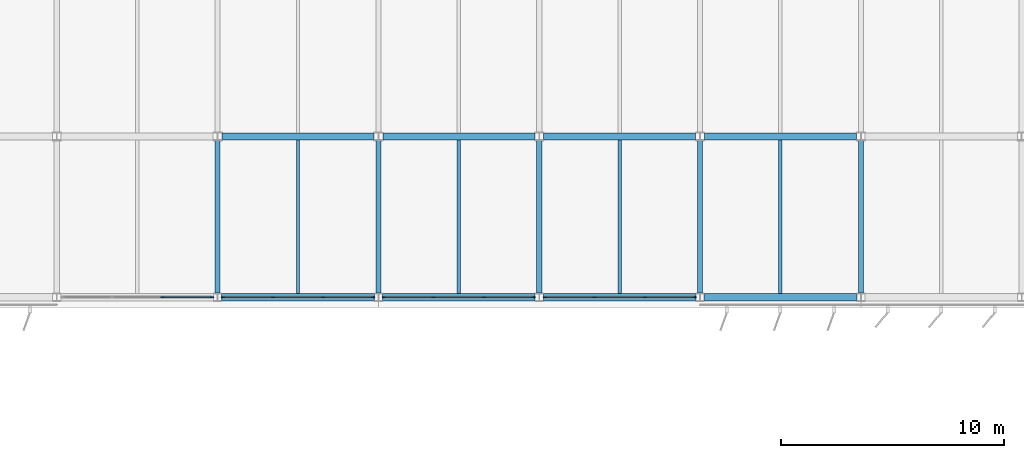
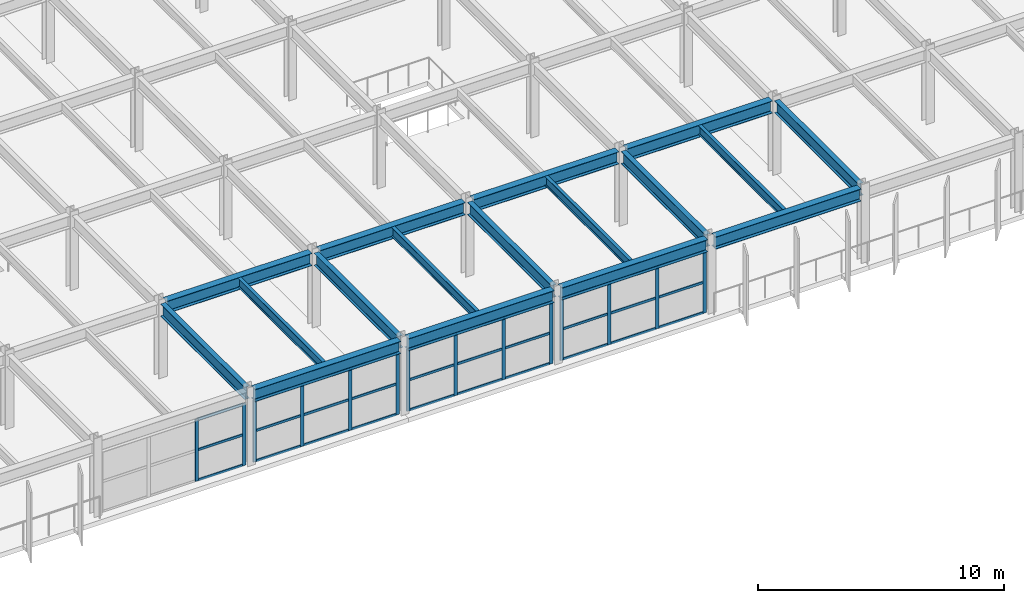
# One storey, part 20 of 80: 44 members, 17 beams, 4 elements without a shape of their own.
"""IFC4 building model written with IfcOpenShell, lengths in metres."""

from ifc_helpers import new_model, si_unit, direction, frame, origin, origin_2d, place, context, subcontext, project, spatial, rectangle, i_section, extrude, material, material_profile, profile_set, type_object, element, aggregate, save


model = new_model("IFC4")

# Units and contexts
model_context = context("Model", 3, precision=1e-05, world=origin(), true_north=direction((0.0, 1.0)))
body_context = subcontext(model_context, "Body", "Model", "MODEL_VIEW")
ifc_project = project(units=[si_unit("LENGTHUNIT", "METRE"), si_unit("AREAUNIT", "SQUARE_METRE"), si_unit("VOLUMEUNIT", "CUBIC_METRE"), si_unit("PLANEANGLEUNIT", "RADIAN"), si_unit("MASSUNIT", "GRAM", prefix="KILO")], contexts=[model_context])

# Site, building, storey
site_placement = place(None, origin())
site = spatial("IfcSite", under=ifc_project, at=site_placement, CompositionType="ELEMENT")
building_placement = place(site_placement, origin())
building = spatial("IfcBuilding", under=site, at=building_placement, Name="Vaelcorin Mobility Hub", CompositionType="ELEMENT")
storey_placement = place(building_placement, frame((0.0, 0.0, 9.300048828125)))
storey = spatial("IfcBuildingStorey", under=building, at=storey_placement, Name="L02", CompositionType="ELEMENT", Elevation=9.300048828125)

# Beams
ifc_material_1 = material(Name="Steel ASTM A992 Grade 50", Category="steel")
ifc_material_profile_1 = material_profile(ifc_material_1, i_section(OverallWidth=0.154052734375, OverallDepth=0.45703125, WebThickness=0.009033203125, FlangeThickness=0.015380859375, FilletRadius=0.012939453125, at=origin_2d()), Name="W18X46")
ifc_profile_set_1 = profile_set([ifc_material_profile_1], Name="Steel ASTM A992 Grade 50")
beam_type_1 = type_object("IfcBeamType", Name="BM-W18X46", PredefinedType="JOIST", material=ifc_profile_set_1)
for number, where, z_axis, x_axis, name in (
    (1, (75.60009765625, 76.9599609375, 3.4619140625), (0.0, 1.0, 0.0), (-1.0, 0.0, 0.0), "L02 Beam V4-L02-J-06-01-1"),
    (2, (82.800048828125, 76.9599609375, 3.4619140625), (0.0, 1.0, 0.0), (-1.0, 0.0, 0.0), "L02 Beam V4-L02-J-07-01-1"),
    (3, (90.0, 76.9599609375, 3.4619140625), (0.0, 1.0, 0.0), (-1.0, 0.0, 0.0), "L02 Beam V4-L02-J-08-01-1"),
    (4, (97.199951171875, 76.9599609375, 3.4619140625), (0.0, 1.0, 0.0), (-1.0, 0.0, 0.0), "L02 Beam V4-L02-J-09-01-1"),
):
    element("IfcBeam", number, at=place(storey_placement, frame(where, z_axis=z_axis, x_axis=x_axis)), inside=storey, type_object=beam_type_1, Name=name, PredefinedType="JOIST", context=body_context, shape_type="SweptSolid", body=[
        extrude(i_section(OverallWidth=0.154052734375, OverallDepth=0.45703125, WebThickness=0.009033203125, FlangeThickness=0.015380859375, FilletRadius=0.012939453125, at=origin_2d()), origin(), (0.0, 0.0, 1.0), 6.880126953125),
    ])
ifc_material_profile_2 = material_profile(ifc_material_1, i_section(OverallWidth=0.324951171875, OverallDepth=0.612060546875, WebThickness=0.0126953125, FlangeThickness=0.01904296875, FilletRadius=0.014892578125, at=origin_2d()), Name="W24X104")
ifc_profile_set_2 = profile_set([ifc_material_profile_2], Name="Steel ASTM A992 Grade 50")
beam_type_2 = type_object("IfcBeamType", Name="BM-W24X104", PredefinedType="BEAM", material=ifc_profile_set_2)
for number, where, z_axis, x_axis, name in (
    (5, (72.18408203125, 76.800048828125, 3.384033203125), (1.0, 0.0, 0.0), (0.0, 1.0, 0.0), "L02 Beam V4-L02-GX-01-06"),
    (6, (79.384033203125, 76.800048828125, 3.384033203125), (1.0, 0.0, 0.0), (0.0, 1.0, 0.0), "L02 Beam V4-L02-GX-01-07"),
    (7, (86.583984375, 76.800048828125, 3.384033203125), (1.0, 0.0, 0.0), (0.0, 1.0, 0.0), "L02 Beam V4-L02-GX-01-08"),
    (8, (93.783935546875, 76.800048828125, 3.384033203125), (1.0, 0.0, 0.0), (0.0, 1.0, 0.0), "L02 Beam V4-L02-GX-01-09"),
):
    element("IfcBeam", number, at=place(storey_placement, frame(where, z_axis=z_axis, x_axis=x_axis)), inside=storey, type_object=beam_type_2, Name=name, PredefinedType="BEAM", context=body_context, shape_type="SweptSolid", body=[
        extrude(i_section(OverallWidth=0.324951171875, OverallDepth=0.612060546875, WebThickness=0.0126953125, FlangeThickness=0.01904296875, FilletRadius=0.014892578125, at=origin_2d()), origin(), (0.0, 0.0, 1.0), 6.83203125),
    ])
beam_placement = place(storey_placement, frame((72.196044921875, 84.0, 3.384033203125), z_axis=(1.0, 0.0, 0.0), x_axis=(0.0, 1.0, 0.0)))
element("IfcBeam", 9, at=beam_placement, inside=storey, type_object=beam_type_2, Name="L02 Beam V4-L02-GX-02-06", PredefinedType="BEAM", context=body_context, shape_type="SweptSolid", body=[
    extrude(i_section(OverallWidth=0.324951171875, OverallDepth=0.612060546875, WebThickness=0.0126953125, FlangeThickness=0.01904296875, FilletRadius=0.014892578125, at=origin_2d()), origin(), (0.0, 0.0, 1.0), 6.807861328125),
])
for number, where, z_axis, x_axis, name in (
    (10, (79.39599609375, 84.0, 3.384033203125), (1.0, 0.0, 0.0), (0.0, 1.0, 0.0), "L02 Beam V4-L02-GX-02-07"),
    (11, (86.595947265625, 84.0, 3.384033203125), (1.0, 0.0, 0.0), (0.0, 1.0, 0.0), "L02 Beam V4-L02-GX-02-08"),
    (12, (93.7958984375, 84.0, 3.384033203125), (1.0, 0.0, 0.0), (0.0, 1.0, 0.0), "L02 Beam V4-L02-GX-02-09"),
):
    element("IfcBeam", number, at=place(storey_placement, frame(where, z_axis=z_axis, x_axis=x_axis)), inside=storey, type_object=beam_type_2, Name=name, PredefinedType="BEAM", context=body_context, shape_type="SweptSolid", body=[
        extrude(i_section(OverallWidth=0.324951171875, OverallDepth=0.612060546875, WebThickness=0.0126953125, FlangeThickness=0.01904296875, FilletRadius=0.014892578125, at=origin_2d()), origin(), (0.0, 0.0, 1.0), 6.80810546875),
    ])
ifc_material_profile_3 = material_profile(ifc_material_1, i_section(OverallWidth=0.22900390625, OverallDepth=0.612060546875, WebThickness=0.011962890625, FlangeThickness=0.01953125, FilletRadius=0.014892578125, at=origin_2d()), Name="W24X84")
ifc_profile_set_3 = profile_set([ifc_material_profile_3], Name="Steel ASTM A992 Grade 50")
beam_type_3 = type_object("IfcBeamType", Name="BM-W24X84", PredefinedType="BEAM", material=ifc_profile_set_3)
for number, where, z_axis, x_axis, name in (
    (13, (72.0, 76.98388671875, 3.384033203125), (0.0, 1.0, 0.0), (-1.0, 0.0, 0.0), "L02 Beam V4-L02-GY-06-01"),
    (14, (79.199951171875, 76.98388671875, 3.384033203125), (0.0, 1.0, 0.0), (-1.0, 0.0, 0.0), "L02 Beam V4-L02-GY-07-01"),
    (15, (86.39990234375, 76.98388671875, 3.384033203125), (0.0, 1.0, 0.0), (-1.0, 0.0, 0.0), "L02 Beam V4-L02-GY-08-01"),
    (16, (93.60009765625, 76.98388671875, 3.384033203125), (0.0, 1.0, 0.0), (-1.0, 0.0, 0.0), "L02 Beam V4-L02-GY-09-01"),
    (17, (100.800048828125, 76.98388671875, 3.384033203125), (0.0, 1.0, 0.0), (-1.0, 0.0, 0.0), "L02 Beam V4-L02-GY-10-01"),
):
    element("IfcBeam", number, at=place(storey_placement, frame(where, z_axis=z_axis, x_axis=x_axis)), inside=storey, type_object=beam_type_3, Name=name, PredefinedType="BEAM", context=body_context, shape_type="SweptSolid", body=[
        extrude(i_section(OverallWidth=0.22900390625, OverallDepth=0.612060546875, WebThickness=0.011962890625, FlangeThickness=0.01953125, FilletRadius=0.014892578125, at=origin_2d()), origin(), (0.0, 0.0, 1.0), 6.828125),
    ])

# Curtain wall, members
ifc_material_2 = material(Name="Anodised aluminium 6063-T6", Category="aluminium")
curtain_wall_type = type_object("IfcCurtainWallType", Name="CW-MOB-A", PredefinedType="NOTDEFINED", material=ifc_material_2)
curtain_wall_1_placement = place(storey_placement, origin())
curtain_wall_1 = element("IfcCurtainWall", 18, at=curtain_wall_1_placement, inside=storey, type_object=curtain_wall_type, Name="L02 Curtain Wall CW-V4-L02-S-05", PredefinedType="NOTDEFINED")
ifc_material_profile_4 = material_profile(ifc_material_2, rectangle(XDim=0.06005859375, YDim=0.159912109375, at=origin_2d()), Name="ALU-M60X160")
ifc_profile_set_4 = profile_set([ifc_material_profile_4], Name="Anodised aluminium 6063-T6")
member_type_1 = type_object("IfcMemberType", Name="CW-MULL-160", PredefinedType="MULLION", material=ifc_profile_set_4)
member_1_placement = place(storey_placement, frame((71.75, 76.800048828125, 0.0), z_axis=(0.0, 0.0, 1.0), x_axis=(0.0, -1.0, 0.0)))
member_1 = element("IfcMember", 19, at=member_1_placement, type_object=member_type_1, Name="CW7 mullion 1", PredefinedType="MULLION", context=body_context, shape_type="SweptSolid", body=[
    extrude(rectangle(XDim=0.06005859375, YDim=0.159912109375, at=origin_2d()), origin(), (0.0, 0.0, 1.0), 3.06298828125),
])
member_2_placement = place(storey_placement, frame((69.526611328125, 76.800048828125, 0.0), z_axis=(0.0, 0.0, 1.0), x_axis=(0.0, -1.0, 0.0)))
member_2 = element("IfcMember", 20, at=member_2_placement, type_object=member_type_1, Name="CW7 mullion 2", PredefinedType="MULLION", context=body_context, shape_type="SweptSolid", body=[
    extrude(rectangle(XDim=0.06005859375, YDim=0.159912109375, at=origin_2d()), origin(), (0.0, 0.0, 1.0), 3.06298828125),
])

curtain_wall_2_placement = place(storey_placement, origin())
curtain_wall_2 = element("IfcCurtainWall", 21, at=curtain_wall_2_placement, inside=storey, type_object=curtain_wall_type, Name="L02 Curtain Wall CW-V4-L02-S-06", PredefinedType="NOTDEFINED")
member_3_placement = place(storey_placement, frame((78.949951171875, 76.800048828125, 0.0), z_axis=(0.0, 0.0, 1.0), x_axis=(0.0, -1.0, 0.0)))
member_3 = element("IfcMember", 22, at=member_3_placement, type_object=member_type_1, Name="CW7 mullion 1", PredefinedType="MULLION", context=body_context, shape_type="SweptSolid", body=[
    extrude(rectangle(XDim=0.06005859375, YDim=0.159912109375, at=origin_2d()), origin(), (0.0, 0.0, 1.0), 3.06298828125),
])
member_4_placement = place(storey_placement, frame((76.7265625, 76.800048828125, 0.0), z_axis=(0.0, 0.0, 1.0), x_axis=(0.0, -1.0, 0.0)))
member_4 = element("IfcMember", 23, at=member_4_placement, type_object=member_type_1, Name="CW7 mullion 2", PredefinedType="MULLION", context=body_context, shape_type="SweptSolid", body=[
    extrude(rectangle(XDim=0.06005859375, YDim=0.159912109375, at=origin_2d()), origin(), (0.0, 0.0, 1.0), 3.06298828125),
])
member_5_placement = place(storey_placement, frame((74.473388671875, 76.800048828125, 0.0), z_axis=(0.0, 0.0, 1.0), x_axis=(0.0, -1.0, 0.0)))
member_5 = element("IfcMember", 24, at=member_5_placement, type_object=member_type_1, Name="CW7 mullion 3", PredefinedType="MULLION", context=body_context, shape_type="SweptSolid", body=[
    extrude(rectangle(XDim=0.06005859375, YDim=0.159912109375, at=origin_2d()), origin(), (0.0, 0.0, 1.0), 3.06298828125),
])
member_6_placement = place(storey_placement, frame((72.25, 76.800048828125, 0.0), z_axis=(0.0, 0.0, 1.0), x_axis=(0.0, -1.0, 0.0)))
member_6 = element("IfcMember", 25, at=member_6_placement, type_object=member_type_1, Name="CW7 mullion 4", PredefinedType="MULLION", context=body_context, shape_type="SweptSolid", body=[
    extrude(rectangle(XDim=0.06005859375, YDim=0.159912109375, at=origin_2d()), origin(), (0.0, 0.0, 1.0), 3.06298828125),
])

curtain_wall_3_placement = place(storey_placement, origin())
curtain_wall_3 = element("IfcCurtainWall", 26, at=curtain_wall_3_placement, inside=storey, type_object=curtain_wall_type, Name="L02 Curtain Wall CW-V4-L02-S-07", PredefinedType="NOTDEFINED")
member_7_placement = place(storey_placement, frame((86.14990234375, 76.800048828125, 0.0), z_axis=(0.0, 0.0, 1.0), x_axis=(0.0, -1.0, 0.0)))
member_7 = element("IfcMember", 27, at=member_7_placement, type_object=member_type_1, Name="CW7 mullion 1", PredefinedType="MULLION", context=body_context, shape_type="SweptSolid", body=[
    extrude(rectangle(XDim=0.06005859375, YDim=0.159912109375, at=origin_2d()), origin(), (0.0, 0.0, 1.0), 3.06298828125),
])
member_8_placement = place(storey_placement, frame((83.9267578125, 76.800048828125, 0.0), z_axis=(0.0, 0.0, 1.0), x_axis=(0.0, -1.0, 0.0)))
member_8 = element("IfcMember", 28, at=member_8_placement, type_object=member_type_1, Name="CW7 mullion 2", PredefinedType="MULLION", context=body_context, shape_type="SweptSolid", body=[
    extrude(rectangle(XDim=0.06005859375, YDim=0.159912109375, at=origin_2d()), origin(), (0.0, 0.0, 1.0), 3.06298828125),
])
member_9_placement = place(storey_placement, frame((81.67333984375, 76.800048828125, 0.0), z_axis=(0.0, 0.0, 1.0), x_axis=(0.0, -1.0, 0.0)))
member_9 = element("IfcMember", 29, at=member_9_placement, type_object=member_type_1, Name="CW7 mullion 3", PredefinedType="MULLION", context=body_context, shape_type="SweptSolid", body=[
    extrude(rectangle(XDim=0.06005859375, YDim=0.159912109375, at=origin_2d()), origin(), (0.0, 0.0, 1.0), 3.06298828125),
])
member_10_placement = place(storey_placement, frame((79.449951171875, 76.800048828125, 0.0), z_axis=(0.0, 0.0, 1.0), x_axis=(0.0, -1.0, 0.0)))
member_10 = element("IfcMember", 30, at=member_10_placement, type_object=member_type_1, Name="CW7 mullion 4", PredefinedType="MULLION", context=body_context, shape_type="SweptSolid", body=[
    extrude(rectangle(XDim=0.06005859375, YDim=0.159912109375, at=origin_2d()), origin(), (0.0, 0.0, 1.0), 3.06298828125),
])

curtain_wall_4_placement = place(storey_placement, origin())
curtain_wall_4 = element("IfcCurtainWall", 31, at=curtain_wall_4_placement, inside=storey, type_object=curtain_wall_type, Name="L02 Curtain Wall CW-V4-L02-S-08", PredefinedType="NOTDEFINED")
member_11_placement = place(storey_placement, frame((93.35009765625, 76.800048828125, 0.0), z_axis=(0.0, 0.0, 1.0), x_axis=(0.0, -1.0, 0.0)))
member_11 = element("IfcMember", 32, at=member_11_placement, type_object=member_type_1, Name="CW7 mullion 1", PredefinedType="MULLION", context=body_context, shape_type="SweptSolid", body=[
    extrude(rectangle(XDim=0.06005859375, YDim=0.159912109375, at=origin_2d()), origin(), (0.0, 0.0, 1.0), 3.06298828125),
])
member_12_placement = place(storey_placement, frame((91.126708984375, 76.800048828125, 0.0), z_axis=(0.0, 0.0, 1.0), x_axis=(0.0, -1.0, 0.0)))
member_12 = element("IfcMember", 33, at=member_12_placement, type_object=member_type_1, Name="CW7 mullion 2", PredefinedType="MULLION", context=body_context, shape_type="SweptSolid", body=[
    extrude(rectangle(XDim=0.06005859375, YDim=0.159912109375, at=origin_2d()), origin(), (0.0, 0.0, 1.0), 3.06298828125),
])
member_13_placement = place(storey_placement, frame((88.873291015625, 76.800048828125, 0.0), z_axis=(0.0, 0.0, 1.0), x_axis=(0.0, -1.0, 0.0)))
member_13 = element("IfcMember", 34, at=member_13_placement, type_object=member_type_1, Name="CW7 mullion 3", PredefinedType="MULLION", context=body_context, shape_type="SweptSolid", body=[
    extrude(rectangle(XDim=0.06005859375, YDim=0.159912109375, at=origin_2d()), origin(), (0.0, 0.0, 1.0), 3.06298828125),
])
member_14_placement = place(storey_placement, frame((86.64990234375, 76.800048828125, 0.0), z_axis=(0.0, 0.0, 1.0), x_axis=(0.0, -1.0, 0.0)))
member_14 = element("IfcMember", 35, at=member_14_placement, type_object=member_type_1, Name="CW7 mullion 4", PredefinedType="MULLION", context=body_context, shape_type="SweptSolid", body=[
    extrude(rectangle(XDim=0.06005859375, YDim=0.159912109375, at=origin_2d()), origin(), (0.0, 0.0, 1.0), 3.06298828125),
])

# Member
ifc_material_profile_5 = material_profile(ifc_material_2, rectangle(XDim=0.06005859375, YDim=0.1201171875, at=origin_2d()), Name="ALU-T60X120")
ifc_profile_set_5 = profile_set([ifc_material_profile_5], Name="Anodised aluminium 6063-T6")
member_type_2 = type_object("IfcMemberType", Name="CW-TRAN-140", PredefinedType="USERDEFINED", material=ifc_profile_set_5)
member_15_placement = place(storey_placement, frame((71.719970703125, 76.800048828125, 0.030029296875), z_axis=(-1.0, 0.0, 0.0), x_axis=(0.0, -1.0, 0.0)))
member_15 = element("IfcMember", 36, at=member_15_placement, type_object=member_type_2, Name="CW7 transom 1.1", ObjectType="TRANSOM", PredefinedType="USERDEFINED", context=body_context, shape_type="SweptSolid", body=[
    extrude(rectangle(XDim=0.06005859375, YDim=0.1201171875, at=origin_2d()), origin(), (0.0, 0.0, 1.0), 2.163330078125),
])

member_16_placement = place(storey_placement, frame((71.719970703125, 76.800048828125, 1.531982421875), z_axis=(-1.0, 0.0, 0.0), x_axis=(0.0, -1.0, 0.0)))
member_16 = element("IfcMember", 37, at=member_16_placement, type_object=member_type_2, Name="CW7 transom 1.2", ObjectType="TRANSOM", PredefinedType="USERDEFINED", context=body_context, shape_type="SweptSolid", body=[
    extrude(rectangle(XDim=0.06005859375, YDim=0.1201171875, at=origin_2d()), origin(), (0.0, 0.0, 1.0), 2.163330078125),
])

member_17_placement = place(storey_placement, frame((71.719970703125, 76.800048828125, 3.032958984375), z_axis=(-1.0, 0.0, 0.0), x_axis=(0.0, -1.0, 0.0)))
member_17 = element("IfcMember", 38, at=member_17_placement, type_object=member_type_2, Name="CW7 transom 1.3", ObjectType="TRANSOM", PredefinedType="USERDEFINED", context=body_context, shape_type="SweptSolid", body=[
    extrude(rectangle(XDim=0.06005859375, YDim=0.1201171875, at=origin_2d()), origin(), (0.0, 0.0, 1.0), 2.163330078125),
])

aggregate(curtain_wall_1, [member_1, member_2, member_15, member_16, member_17])

member_18_placement = place(storey_placement, frame((78.919921875, 76.800048828125, 0.030029296875), z_axis=(-1.0, 0.0, 0.0), x_axis=(0.0, -1.0, 0.0)))
member_18 = element("IfcMember", 39, at=member_18_placement, type_object=member_type_2, Name="CW7 transom 1.1", ObjectType="TRANSOM", PredefinedType="USERDEFINED", context=body_context, shape_type="SweptSolid", body=[
    extrude(rectangle(XDim=0.06005859375, YDim=0.1201171875, at=origin_2d()), origin(), (0.0, 0.0, 1.0), 2.163330078125),
])

member_19_placement = place(storey_placement, frame((78.919921875, 76.800048828125, 1.531982421875), z_axis=(-1.0, 0.0, 0.0), x_axis=(0.0, -1.0, 0.0)))
member_19 = element("IfcMember", 40, at=member_19_placement, type_object=member_type_2, Name="CW7 transom 1.2", ObjectType="TRANSOM", PredefinedType="USERDEFINED", context=body_context, shape_type="SweptSolid", body=[
    extrude(rectangle(XDim=0.06005859375, YDim=0.1201171875, at=origin_2d()), origin(), (0.0, 0.0, 1.0), 2.163330078125),
])

member_20_placement = place(storey_placement, frame((78.919921875, 76.800048828125, 3.032958984375), z_axis=(-1.0, 0.0, 0.0), x_axis=(0.0, -1.0, 0.0)))
member_20 = element("IfcMember", 41, at=member_20_placement, type_object=member_type_2, Name="CW7 transom 1.3", ObjectType="TRANSOM", PredefinedType="USERDEFINED", context=body_context, shape_type="SweptSolid", body=[
    extrude(rectangle(XDim=0.06005859375, YDim=0.1201171875, at=origin_2d()), origin(), (0.0, 0.0, 1.0), 2.163330078125),
])

member_21_placement = place(storey_placement, frame((76.69677734375, 76.800048828125, 0.030029296875), z_axis=(-1.0, 0.0, 0.0), x_axis=(0.0, -1.0, 0.0)))
member_21 = element("IfcMember", 42, at=member_21_placement, type_object=member_type_2, Name="CW7 transom 2.1", ObjectType="TRANSOM", PredefinedType="USERDEFINED", context=body_context, shape_type="SweptSolid", body=[
    extrude(rectangle(XDim=0.06005859375, YDim=0.1201171875, at=origin_2d()), origin(), (0.0, 0.0, 1.0), 2.193359375),
])

member_22_placement = place(storey_placement, frame((76.69677734375, 76.800048828125, 1.531982421875), z_axis=(-1.0, 0.0, 0.0), x_axis=(0.0, -1.0, 0.0)))
member_22 = element("IfcMember", 43, at=member_22_placement, type_object=member_type_2, Name="CW7 transom 2.2", ObjectType="TRANSOM", PredefinedType="USERDEFINED", context=body_context, shape_type="SweptSolid", body=[
    extrude(rectangle(XDim=0.06005859375, YDim=0.1201171875, at=origin_2d()), origin(), (0.0, 0.0, 1.0), 2.193359375),
])

member_23_placement = place(storey_placement, frame((76.69677734375, 76.800048828125, 3.032958984375), z_axis=(-1.0, 0.0, 0.0), x_axis=(0.0, -1.0, 0.0)))
member_23 = element("IfcMember", 44, at=member_23_placement, type_object=member_type_2, Name="CW7 transom 2.3", ObjectType="TRANSOM", PredefinedType="USERDEFINED", context=body_context, shape_type="SweptSolid", body=[
    extrude(rectangle(XDim=0.06005859375, YDim=0.1201171875, at=origin_2d()), origin(), (0.0, 0.0, 1.0), 2.193359375),
])

member_24_placement = place(storey_placement, frame((74.443359375, 76.800048828125, 0.030029296875), z_axis=(-1.0, 0.0, 0.0), x_axis=(0.0, -1.0, 0.0)))
member_24 = element("IfcMember", 45, at=member_24_placement, type_object=member_type_2, Name="CW7 transom 3.1", ObjectType="TRANSOM", PredefinedType="USERDEFINED", context=body_context, shape_type="SweptSolid", body=[
    extrude(rectangle(XDim=0.06005859375, YDim=0.1201171875, at=origin_2d()), origin(), (0.0, 0.0, 1.0), 2.163330078125),
])

member_25_placement = place(storey_placement, frame((74.443359375, 76.800048828125, 1.531982421875), z_axis=(-1.0, 0.0, 0.0), x_axis=(0.0, -1.0, 0.0)))
member_25 = element("IfcMember", 46, at=member_25_placement, type_object=member_type_2, Name="CW7 transom 3.2", ObjectType="TRANSOM", PredefinedType="USERDEFINED", context=body_context, shape_type="SweptSolid", body=[
    extrude(rectangle(XDim=0.06005859375, YDim=0.1201171875, at=origin_2d()), origin(), (0.0, 0.0, 1.0), 2.163330078125),
])

member_26_placement = place(storey_placement, frame((74.443359375, 76.800048828125, 3.032958984375), z_axis=(-1.0, 0.0, 0.0), x_axis=(0.0, -1.0, 0.0)))
member_26 = element("IfcMember", 47, at=member_26_placement, type_object=member_type_2, Name="CW7 transom 3.3", ObjectType="TRANSOM", PredefinedType="USERDEFINED", context=body_context, shape_type="SweptSolid", body=[
    extrude(rectangle(XDim=0.06005859375, YDim=0.1201171875, at=origin_2d()), origin(), (0.0, 0.0, 1.0), 2.163330078125),
])

aggregate(curtain_wall_2, [member_3, member_4, member_5, member_6, member_18, member_19, member_20, member_21, member_22, member_23, member_24, member_25, member_26])

member_27_placement = place(storey_placement, frame((86.1201171875, 76.800048828125, 0.030029296875), z_axis=(-1.0, 0.0, 0.0), x_axis=(0.0, -1.0, 0.0)))
member_27 = element("IfcMember", 48, at=member_27_placement, type_object=member_type_2, Name="CW7 transom 1.1", ObjectType="TRANSOM", PredefinedType="USERDEFINED", context=body_context, shape_type="SweptSolid", body=[
    extrude(rectangle(XDim=0.06005859375, YDim=0.1201171875, at=origin_2d()), origin(), (0.0, 0.0, 1.0), 2.163330078125),
])

member_28_placement = place(storey_placement, frame((86.1201171875, 76.800048828125, 1.531982421875), z_axis=(-1.0, 0.0, 0.0), x_axis=(0.0, -1.0, 0.0)))
member_28 = element("IfcMember", 49, at=member_28_placement, type_object=member_type_2, Name="CW7 transom 1.2", ObjectType="TRANSOM", PredefinedType="USERDEFINED", context=body_context, shape_type="SweptSolid", body=[
    extrude(rectangle(XDim=0.06005859375, YDim=0.1201171875, at=origin_2d()), origin(), (0.0, 0.0, 1.0), 2.163330078125),
])

member_29_placement = place(storey_placement, frame((86.1201171875, 76.800048828125, 3.032958984375), z_axis=(-1.0, 0.0, 0.0), x_axis=(0.0, -1.0, 0.0)))
member_29 = element("IfcMember", 50, at=member_29_placement, type_object=member_type_2, Name="CW7 transom 1.3", ObjectType="TRANSOM", PredefinedType="USERDEFINED", context=body_context, shape_type="SweptSolid", body=[
    extrude(rectangle(XDim=0.06005859375, YDim=0.1201171875, at=origin_2d()), origin(), (0.0, 0.0, 1.0), 2.163330078125),
])

member_30_placement = place(storey_placement, frame((83.896728515625, 76.800048828125, 0.030029296875), z_axis=(-1.0, 0.0, 0.0), x_axis=(0.0, -1.0, 0.0)))
member_30 = element("IfcMember", 51, at=member_30_placement, type_object=member_type_2, Name="CW7 transom 2.1", ObjectType="TRANSOM", PredefinedType="USERDEFINED", context=body_context, shape_type="SweptSolid", body=[
    extrude(rectangle(XDim=0.06005859375, YDim=0.1201171875, at=origin_2d()), origin(), (0.0, 0.0, 1.0), 2.193359375),
])

member_31_placement = place(storey_placement, frame((83.896728515625, 76.800048828125, 1.531982421875), z_axis=(-1.0, 0.0, 0.0), x_axis=(0.0, -1.0, 0.0)))
member_31 = element("IfcMember", 52, at=member_31_placement, type_object=member_type_2, Name="CW7 transom 2.2", ObjectType="TRANSOM", PredefinedType="USERDEFINED", context=body_context, shape_type="SweptSolid", body=[
    extrude(rectangle(XDim=0.06005859375, YDim=0.1201171875, at=origin_2d()), origin(), (0.0, 0.0, 1.0), 2.193359375),
])

member_32_placement = place(storey_placement, frame((83.896728515625, 76.800048828125, 3.032958984375), z_axis=(-1.0, 0.0, 0.0), x_axis=(0.0, -1.0, 0.0)))
member_32 = element("IfcMember", 53, at=member_32_placement, type_object=member_type_2, Name="CW7 transom 2.3", ObjectType="TRANSOM", PredefinedType="USERDEFINED", context=body_context, shape_type="SweptSolid", body=[
    extrude(rectangle(XDim=0.06005859375, YDim=0.1201171875, at=origin_2d()), origin(), (0.0, 0.0, 1.0), 2.193359375),
])

member_33_placement = place(storey_placement, frame((81.643310546875, 76.800048828125, 0.030029296875), z_axis=(-1.0, 0.0, 0.0), x_axis=(0.0, -1.0, 0.0)))
member_33 = element("IfcMember", 54, at=member_33_placement, type_object=member_type_2, Name="CW7 transom 3.1", ObjectType="TRANSOM", PredefinedType="USERDEFINED", context=body_context, shape_type="SweptSolid", body=[
    extrude(rectangle(XDim=0.06005859375, YDim=0.1201171875, at=origin_2d()), origin(), (0.0, 0.0, 1.0), 2.163330078125),
])

member_34_placement = place(storey_placement, frame((81.643310546875, 76.800048828125, 1.531982421875), z_axis=(-1.0, 0.0, 0.0), x_axis=(0.0, -1.0, 0.0)))
member_34 = element("IfcMember", 55, at=member_34_placement, type_object=member_type_2, Name="CW7 transom 3.2", ObjectType="TRANSOM", PredefinedType="USERDEFINED", context=body_context, shape_type="SweptSolid", body=[
    extrude(rectangle(XDim=0.06005859375, YDim=0.1201171875, at=origin_2d()), origin(), (0.0, 0.0, 1.0), 2.163330078125),
])

member_35_placement = place(storey_placement, frame((81.643310546875, 76.800048828125, 3.032958984375), z_axis=(-1.0, 0.0, 0.0), x_axis=(0.0, -1.0, 0.0)))
member_35 = element("IfcMember", 56, at=member_35_placement, type_object=member_type_2, Name="CW7 transom 3.3", ObjectType="TRANSOM", PredefinedType="USERDEFINED", context=body_context, shape_type="SweptSolid", body=[
    extrude(rectangle(XDim=0.06005859375, YDim=0.1201171875, at=origin_2d()), origin(), (0.0, 0.0, 1.0), 2.163330078125),
])

aggregate(curtain_wall_3, [member_7, member_8, member_9, member_10, member_27, member_28, member_29, member_30, member_31, member_32, member_33, member_34, member_35])

member_36_placement = place(storey_placement, frame((93.320068359375, 76.800048828125, 0.030029296875), z_axis=(-1.0, 0.0, 0.0), x_axis=(0.0, -1.0, 0.0)))
member_36 = element("IfcMember", 57, at=member_36_placement, type_object=member_type_2, Name="CW7 transom 1.1", ObjectType="TRANSOM", PredefinedType="USERDEFINED", context=body_context, shape_type="SweptSolid", body=[
    extrude(rectangle(XDim=0.06005859375, YDim=0.1201171875, at=origin_2d()), origin(), (0.0, 0.0, 1.0), 2.163330078125),
])

member_37_placement = place(storey_placement, frame((93.320068359375, 76.800048828125, 1.531982421875), z_axis=(-1.0, 0.0, 0.0), x_axis=(0.0, -1.0, 0.0)))
member_37 = element("IfcMember", 58, at=member_37_placement, type_object=member_type_2, Name="CW7 transom 1.2", ObjectType="TRANSOM", PredefinedType="USERDEFINED", context=body_context, shape_type="SweptSolid", body=[
    extrude(rectangle(XDim=0.06005859375, YDim=0.1201171875, at=origin_2d()), origin(), (0.0, 0.0, 1.0), 2.163330078125),
])

member_38_placement = place(storey_placement, frame((93.320068359375, 76.800048828125, 3.032958984375), z_axis=(-1.0, 0.0, 0.0), x_axis=(0.0, -1.0, 0.0)))
member_38 = element("IfcMember", 59, at=member_38_placement, type_object=member_type_2, Name="CW7 transom 1.3", ObjectType="TRANSOM", PredefinedType="USERDEFINED", context=body_context, shape_type="SweptSolid", body=[
    extrude(rectangle(XDim=0.06005859375, YDim=0.1201171875, at=origin_2d()), origin(), (0.0, 0.0, 1.0), 2.163330078125),
])

member_39_placement = place(storey_placement, frame((91.0966796875, 76.800048828125, 0.030029296875), z_axis=(-1.0, 0.0, 0.0), x_axis=(0.0, -1.0, 0.0)))
member_39 = element("IfcMember", 60, at=member_39_placement, type_object=member_type_2, Name="CW7 transom 2.1", ObjectType="TRANSOM", PredefinedType="USERDEFINED", context=body_context, shape_type="SweptSolid", body=[
    extrude(rectangle(XDim=0.06005859375, YDim=0.1201171875, at=origin_2d()), origin(), (0.0, 0.0, 1.0), 2.193359375),
])

member_40_placement = place(storey_placement, frame((91.0966796875, 76.800048828125, 1.531982421875), z_axis=(-1.0, 0.0, 0.0), x_axis=(0.0, -1.0, 0.0)))
member_40 = element("IfcMember", 61, at=member_40_placement, type_object=member_type_2, Name="CW7 transom 2.2", ObjectType="TRANSOM", PredefinedType="USERDEFINED", context=body_context, shape_type="SweptSolid", body=[
    extrude(rectangle(XDim=0.06005859375, YDim=0.1201171875, at=origin_2d()), origin(), (0.0, 0.0, 1.0), 2.193359375),
])

member_41_placement = place(storey_placement, frame((91.0966796875, 76.800048828125, 3.032958984375), z_axis=(-1.0, 0.0, 0.0), x_axis=(0.0, -1.0, 0.0)))
member_41 = element("IfcMember", 62, at=member_41_placement, type_object=member_type_2, Name="CW7 transom 2.3", ObjectType="TRANSOM", PredefinedType="USERDEFINED", context=body_context, shape_type="SweptSolid", body=[
    extrude(rectangle(XDim=0.06005859375, YDim=0.1201171875, at=origin_2d()), origin(), (0.0, 0.0, 1.0), 2.193359375),
])

member_42_placement = place(storey_placement, frame((88.84326171875, 76.800048828125, 0.030029296875), z_axis=(-1.0, 0.0, 0.0), x_axis=(0.0, -1.0, 0.0)))
member_42 = element("IfcMember", 63, at=member_42_placement, type_object=member_type_2, Name="CW7 transom 3.1", ObjectType="TRANSOM", PredefinedType="USERDEFINED", context=body_context, shape_type="SweptSolid", body=[
    extrude(rectangle(XDim=0.06005859375, YDim=0.1201171875, at=origin_2d()), origin(), (0.0, 0.0, 1.0), 2.163330078125),
])

member_43_placement = place(storey_placement, frame((88.84326171875, 76.800048828125, 1.531982421875), z_axis=(-1.0, 0.0, 0.0), x_axis=(0.0, -1.0, 0.0)))
member_43 = element("IfcMember", 64, at=member_43_placement, type_object=member_type_2, Name="CW7 transom 3.2", ObjectType="TRANSOM", PredefinedType="USERDEFINED", context=body_context, shape_type="SweptSolid", body=[
    extrude(rectangle(XDim=0.06005859375, YDim=0.1201171875, at=origin_2d()), origin(), (0.0, 0.0, 1.0), 2.163330078125),
])

member_44_placement = place(storey_placement, frame((88.84326171875, 76.800048828125, 3.032958984375), z_axis=(-1.0, 0.0, 0.0), x_axis=(0.0, -1.0, 0.0)))
member_44 = element("IfcMember", 65, at=member_44_placement, type_object=member_type_2, Name="CW7 transom 3.3", ObjectType="TRANSOM", PredefinedType="USERDEFINED", context=body_context, shape_type="SweptSolid", body=[
    extrude(rectangle(XDim=0.06005859375, YDim=0.1201171875, at=origin_2d()), origin(), (0.0, 0.0, 1.0), 2.163330078125),
])

aggregate(curtain_wall_4, [member_11, member_12, member_13, member_14, member_36, member_37, member_38, member_39, member_40, member_41, member_42, member_43, member_44])

save(model, "model.ifc")
